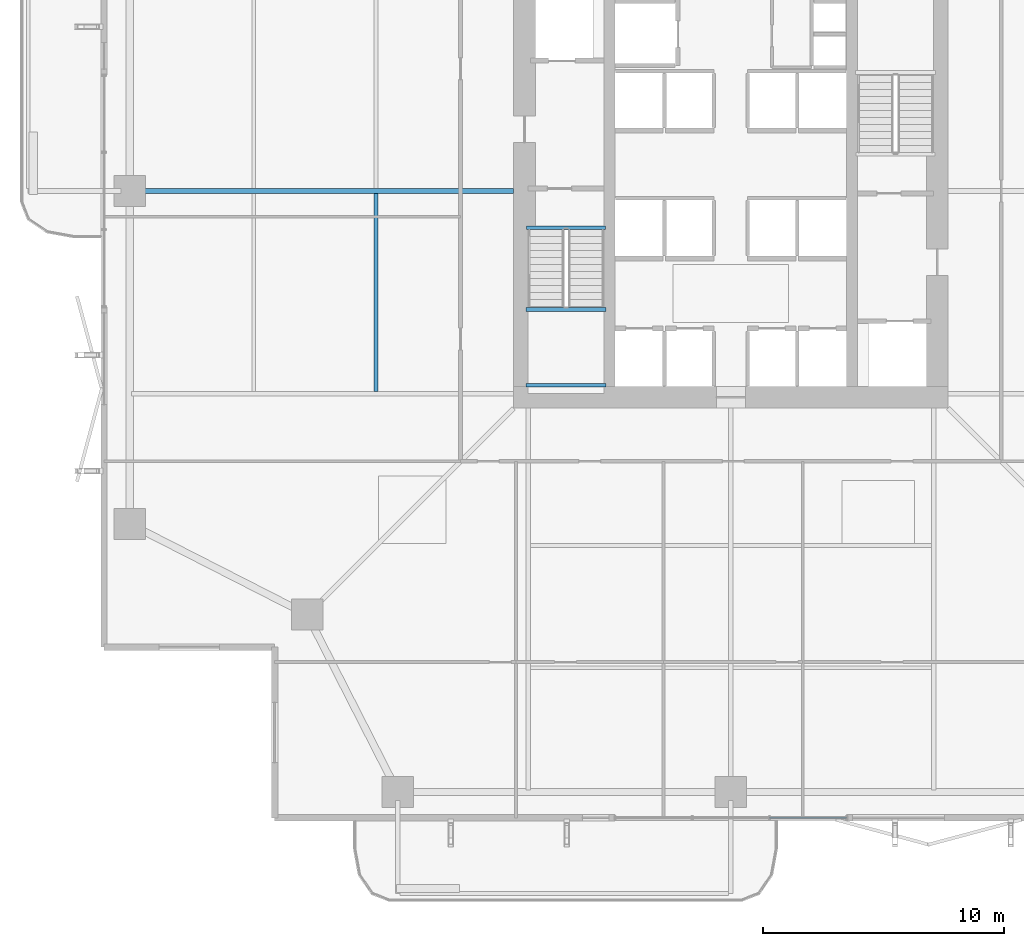
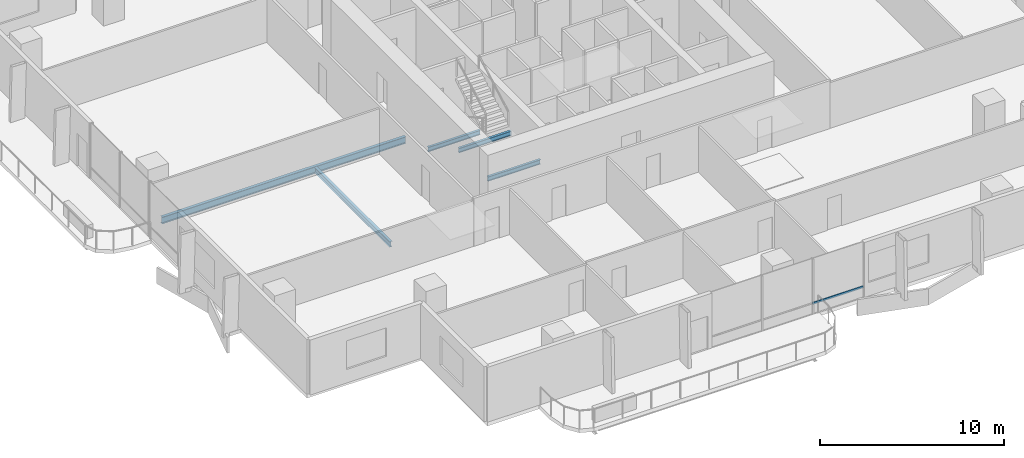
# One storey, part 5 of 23: 5 beams, 1 member, 1 element without a shape of its own.
"""IFC4 building model written with IfcOpenShell, lengths in metres."""

from ifc_helpers import new_model, si_unit, direction, frame, origin, origin_2d, place, context, subcontext, project, spatial, hollow_rectangle, i_section, extrude, material, layer, layer_set, material_profile, profile_set, type_object, element, aggregate, save


model = new_model("IFC4")

# Units and contexts
model_context = context("Model", 3, precision=1e-05, world=origin(), true_north=direction((0.0, 1.0)))
body_context = subcontext(model_context, "Body", "Model", "MODEL_VIEW")
ifc_project = project(units=[si_unit("LENGTHUNIT", "METRE"), si_unit("AREAUNIT", "SQUARE_METRE"), si_unit("VOLUMEUNIT", "CUBIC_METRE"), si_unit("PLANEANGLEUNIT", "RADIAN"), si_unit("MASSUNIT", "GRAM", prefix="KILO")], contexts=[model_context])

# Site, building, storey
site_placement = place(None, origin())
site = spatial("IfcSite", under=ifc_project, at=site_placement, CompositionType="ELEMENT")
building_placement = place(site_placement, origin())
building = spatial("IfcBuilding", under=site, at=building_placement, Name="Belovzor Exchange Tower", CompositionType="ELEMENT")
storey_placement = place(building_placement, frame((0.0, 0.0, 125.10009765625)))
storey = spatial("IfcBuildingStorey", under=building, at=storey_placement, Name="L30", CompositionType="ELEMENT", Elevation=125.10009765625)

# Beams
ifc_material_1 = material(Name="Steel S355", Category="steel")
ifc_material_profile_1 = material_profile(ifc_material_1, i_section(OverallWidth=0.169921875, OverallDepth=0.360107421875, WebThickness=0.008056640625, FlangeThickness=0.0126953125, at=origin_2d()))
ifc_profile_set_1 = profile_set([ifc_material_profile_1], Name="Steel S355")
beam_type_1 = type_object("IfcBeamType", Name="Secondary Infill Floor Joist IPE 360", PredefinedType="BEAM", material=ifc_profile_set_1)
beam_1_placement = place(storey_placement, frame((14.10302734375, 20.4951171875, -0.43017578125), z_axis=(0.0, 1.0, 0.0), x_axis=(-1.0, 0.0, 0.0)))
element("IfcBeam", 1, at=beam_1_placement, inside=storey, type_object=beam_type_1, Name="FJ-360 Secondary Infill Floor Joist IPE 360", PredefinedType="BEAM", context=body_context, shape_type="SweptSolid", body=[
    extrude(i_section(OverallWidth=0.169921875, OverallDepth=0.360107421875, WebThickness=0.008056640625, FlangeThickness=0.0126953125, at=origin_2d()), origin(), (0.0, 0.0, 1.0), 8.2099609375),
])
ifc_material_2 = material(Name="Steel S355", Category="steel")
ifc_material_profile_2 = material_profile(ifc_material_2, i_section(OverallWidth=0.14990234375, OverallDepth=0.300048828125, WebThickness=0.007080078125, FlangeThickness=0.0107421875, at=origin_2d()))
ifc_profile_set_2 = profile_set([ifc_material_profile_2], Name="Steel S355")
beam_type_2 = type_object("IfcBeamType", Name="Secondary Trim Floor Joist IPE 300", PredefinedType="BEAM", material=ifc_profile_set_2)
for number, where, z_axis, x_axis, name in (
    (2, (20.320068359375, 23.889892578125, 1.599853515625), (1.0, 0.0, 0.0), (0.0, 1.0, 0.0), "FJ-300 Secondary Trim Floor Joist IPE 300"),
    (3, (20.320068359375, 20.75, 1.599853515625), (1.0, 0.0, 0.0), (0.0, 1.0, 0.0), "FJ-300 Secondary Trim Floor Joist IPE 300"),
):
    element("IfcBeam", number, at=place(storey_placement, frame(where, z_axis=z_axis, x_axis=x_axis)), inside=storey, type_object=beam_type_2, Name=name, PredefinedType="BEAM", context=body_context, shape_type="SweptSolid", body=[
        extrude(i_section(OverallWidth=0.14990234375, OverallDepth=0.300048828125, WebThickness=0.007080078125, FlangeThickness=0.0107421875, at=origin_2d()), origin(), (0.0, 0.0, 1.0), 3.309814453125),
    ])
beam_2_placement = place(storey_placement, frame((20.340087890625, 27.280029296875, -0.400146484375), z_axis=(1.0, 0.0, 0.0), x_axis=(0.0, 1.0, 0.0)))
element("IfcBeam", 4, at=beam_2_placement, inside=storey, type_object=beam_type_2, Name="FJ-300 Secondary Trim Floor Joist IPE 300", PredefinedType="BEAM", context=body_context, shape_type="SweptSolid", body=[
    extrude(i_section(OverallWidth=0.14990234375, OverallDepth=0.300048828125, WebThickness=0.007080078125, FlangeThickness=0.0107421875, at=origin_2d()), origin(), (0.0, 0.0, 1.0), 3.27001953125),
])

# Curtain wall, member
ifc_material_3 = material(Name="Anodised Aluminium Framing", Category="aluminium")
ifc_layer = layer(ifc_material_3, 0.179931640625)
ifc_layer_set = layer_set([ifc_layer], Name="Anodised Aluminium Framing")
curtain_wall_type = type_object("IfcCurtainWallType", Name="Recessed Loggia Low-Iron Triple-Glazed Curtain Wall", PredefinedType="NOTDEFINED", material=ifc_layer_set)
curtain_wall_placement = place(storey_placement, origin())
curtain_wall = element("IfcCurtainWall", 5, at=curtain_wall_placement, inside=storey, type_object=curtain_wall_type, Name="CW3 Recessed Loggia Low-Iron Triple-Glazed Curtain Wall L30", PredefinedType="NOTDEFINED")
ifc_material_4 = material(Name="Steel S355", Category="steel")
ifc_material_profile_3 = material_profile(ifc_material_4, hollow_rectangle(XDim=0.06005859375, YDim=0.14990234375, WallThickness=0.00390625, at=origin_2d()))
ifc_profile_set_3 = profile_set([ifc_material_profile_3], Name="Steel S355")
member_type = type_object("IfcMemberType", Name="Thermally Broken Curtain Wall Transom 150x60", PredefinedType="USERDEFINED", material=ifc_profile_set_3)
member_placement = place(storey_placement, frame((33.592041015625, 2.830078125, 0.64990234375), z_axis=(-1.0, 0.0, 0.0), x_axis=(0.0, -1.0, 0.0)))
member = element("IfcMember", 6, at=member_placement, type_object=member_type, Name="CW-T150 Curtain Wall Transom 1", ObjectType="TRANSOM", PredefinedType="USERDEFINED", context=body_context, shape_type="SweptSolid", body=[
    extrude(hollow_rectangle(XDim=0.06005859375, YDim=0.14990234375, WallThickness=0.00390625, at=origin_2d()), origin(), (0.0, 0.0, 1.0), 3.18408203125),
])
aggregate(curtain_wall, [member])

# Beam
ifc_material_5 = material(Name="Steel S355", Category="steel")
ifc_material_profile_4 = material_profile(ifc_material_5, i_section(OverallWidth=0.18994140625, OverallDepth=0.449951171875, WebThickness=0.009521484375, FlangeThickness=0.0146484375, at=origin_2d()))
ifc_profile_set_4 = profile_set([ifc_material_profile_4], Name="Steel S355")
beam_type_3 = type_object("IfcBeamType", Name="Zone 2-4 Radial Composite Floor Beam IPE 450", PredefinedType="BEAM", material=ifc_profile_set_4)
beam_3_placement = place(storey_placement, frame((19.800048828125, 28.800048828125, -0.47509765625), z_axis=(-1.0, 0.0, 0.0), x_axis=(0.0, -1.0, 0.0)))
element("IfcBeam", 7, at=beam_3_placement, inside=storey, type_object=beam_type_3, Name="FB-450 Zone 2-4 Radial Composite Floor Beam IPE 450", PredefinedType="BEAM", context=body_context, shape_type="SweptSolid", body=[
    extrude(i_section(OverallWidth=0.18994140625, OverallDepth=0.449951171875, WebThickness=0.009521484375, FlangeThickness=0.0146484375, at=origin_2d()), origin(), (0.0, 0.0, 1.0), 15.328125),
])

save(model, "model.ifc")
